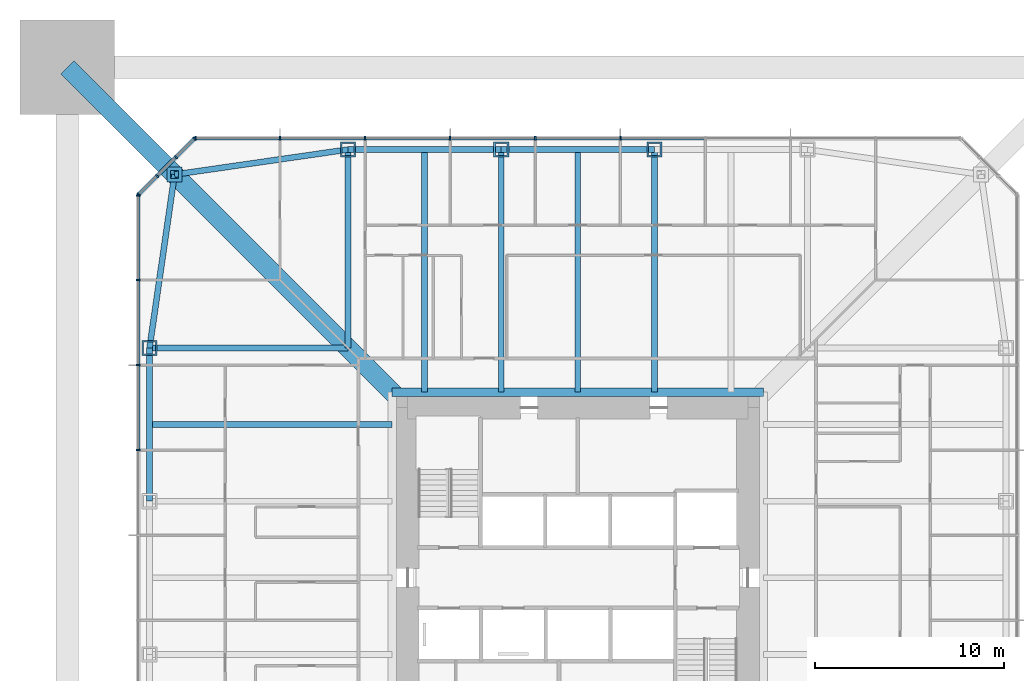
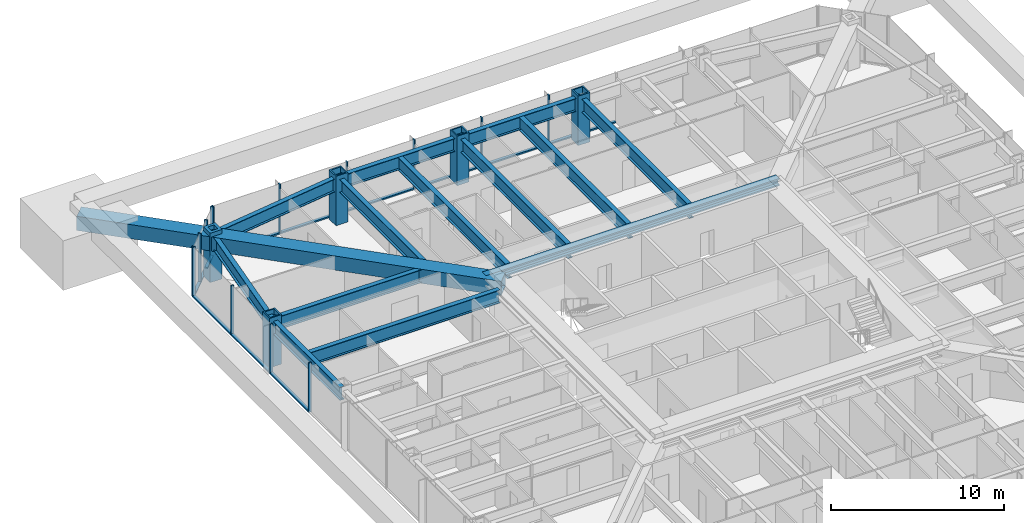
# One storey, part 10 of 32: 33 members, 13 beams, 3 elements without a shape of their own.
"""IFC4 building model written with IfcOpenShell, lengths in metres."""

from ifc_helpers import new_model, si_unit, direction, frame, origin, origin_2d, place, context, subcontext, project, spatial, rectangle, hollow_rectangle, i_section, extrude, material, material_profile, profile_set, type_object, element, aggregate, save


model = new_model("IFC4")

# Units and contexts
model_context = context("Model", 3, precision=1e-05, world=origin(), true_north=direction((0.0, 1.0)))
body_context = subcontext(model_context, "Body", "Model", "MODEL_VIEW")
ifc_project = project(units=[si_unit("LENGTHUNIT", "METRE"), si_unit("AREAUNIT", "SQUARE_METRE"), si_unit("VOLUMEUNIT", "CUBIC_METRE"), si_unit("PLANEANGLEUNIT", "RADIAN"), si_unit("MASSUNIT", "GRAM", prefix="KILO")], contexts=[model_context])

# Site, building, storey
site_placement = place(None, origin())
site = spatial("IfcSite", under=ifc_project, at=site_placement, CompositionType="ELEMENT")
building_placement = place(site_placement, origin())
building = spatial("IfcBuilding", under=site, at=building_placement, Name="Iwan Alto Co-Living Towers", CompositionType="ELEMENT")
storey_placement = place(building_placement, frame((0.0, 0.0, 71.0)))
storey = spatial("IfcBuildingStorey", under=building, at=storey_placement, Name="L19", CompositionType="ELEMENT", Elevation=71.0)

# Curtain wall, members
ifc_material_1 = material(Name="Bronze aluminium unitised frame", Category="aluminium")
curtain_wall_type_1 = type_object("IfcCurtainWallType", Name="CURTAIN WALL CW-A", PredefinedType="NOTDEFINED", material=ifc_material_1)
curtain_wall_1_placement = place(storey_placement, origin())
curtain_wall_1 = element("IfcCurtainWall", 1, at=curtain_wall_1_placement, inside=storey, type_object=curtain_wall_type_1, Name="T1 curtain wall N L19", PredefinedType="NOTDEFINED")
ifc_material_2 = material(Name="Aluminium 6063-T6 bronze anodised", Category="aluminium")
ifc_material_profile_1 = material_profile(ifc_material_2, rectangle(XDim=0.199951171875, YDim=0.080078125, at=origin_2d()), Name="AL 80X200")
ifc_profile_set_1 = profile_set([ifc_material_profile_1], Name="Aluminium 6063-T6 bronze anodised")
member_type_1 = type_object("IfcMemberType", Name="CW-A MULLION 80X200", PredefinedType="MULLION", material=ifc_profile_set_1)
member_1_placement = place(storey_placement, frame((2.25, 23.25, 0.0), z_axis=(0.0, 0.0, 1.0), x_axis=(0.0, -1.0, 0.0)))
member_1 = element("IfcMember", 2, at=member_1_placement, type_object=member_type_1, Name="CW-A mullion 5", PredefinedType="MULLION", context=body_context, shape_type="SweptSolid", body=[
    extrude(rectangle(XDim=0.199951171875, YDim=0.080078125, at=origin_2d()), origin(), (0.0, 0.0, 1.0), 3.5),
])
member_2_placement = place(storey_placement, frame((-2.25, 23.25, 0.0), z_axis=(0.0, 0.0, 1.0), x_axis=(0.0, -1.0, 0.0)))
member_2 = element("IfcMember", 3, at=member_2_placement, type_object=member_type_1, Name="CW-A mullion 6", PredefinedType="MULLION", context=body_context, shape_type="SweptSolid", body=[
    extrude(rectangle(XDim=0.199951171875, YDim=0.080078125, at=origin_2d()), origin(), (0.0, 0.0, 1.0), 3.5),
])
member_3_placement = place(storey_placement, frame((-6.75, 23.25, 0.0), z_axis=(0.0, 0.0, 1.0), x_axis=(0.0, -1.0, 0.0)))
member_3 = element("IfcMember", 4, at=member_3_placement, type_object=member_type_1, Name="CW-A mullion 7", PredefinedType="MULLION", context=body_context, shape_type="SweptSolid", body=[
    extrude(rectangle(XDim=0.199951171875, YDim=0.080078125, at=origin_2d()), origin(), (0.0, 0.0, 1.0), 3.5),
])
member_4_placement = place(storey_placement, frame((-11.25, 23.25, 0.0), z_axis=(0.0, 0.0, 1.0), x_axis=(0.0, -1.0, 0.0)))
member_4 = element("IfcMember", 5, at=member_4_placement, type_object=member_type_1, Name="CW-A mullion 8", PredefinedType="MULLION", context=body_context, shape_type="SweptSolid", body=[
    extrude(rectangle(XDim=0.199951171875, YDim=0.080078125, at=origin_2d()), origin(), (0.0, 0.0, 1.0), 3.5),
])
member_5_placement = place(storey_placement, frame((-15.75, 23.25, 0.0), z_axis=(0.0, 0.0, 1.0), x_axis=(0.0, -1.0, 0.0)))
member_5 = element("IfcMember", 6, at=member_5_placement, type_object=member_type_1, Name="CW-A mullion 9", PredefinedType="MULLION", context=body_context, shape_type="SweptSolid", body=[
    extrude(rectangle(XDim=0.199951171875, YDim=0.080078125, at=origin_2d()), origin(), (0.0, 0.0, 1.0), 3.5),
])
member_6_placement = place(storey_placement, frame((-20.2099609375, 23.25, 0.0), z_axis=(0.0, 0.0, 1.0), x_axis=(0.0, -1.0, 0.0)))
member_6 = element("IfcMember", 7, at=member_6_placement, type_object=member_type_1, Name="CW-A mullion 10", PredefinedType="MULLION", context=body_context, shape_type="SweptSolid", body=[
    extrude(rectangle(XDim=0.199951171875, YDim=0.080078125, at=origin_2d()), origin(), (0.0, 0.0, 1.0), 3.5),
])

curtain_wall_2_placement = place(storey_placement, origin())
curtain_wall_2 = element("IfcCurtainWall", 8, at=curtain_wall_2_placement, inside=storey, type_object=curtain_wall_type_1, Name="T1 curtain wall W L19", PredefinedType="NOTDEFINED")
member_7_placement = place(storey_placement, frame((-23.25, 20.2099609375, 0.0), z_axis=(0.0, 0.0, 1.0), x_axis=(1.0, 0.0, 0.0)))
member_7 = element("IfcMember", 9, at=member_7_placement, type_object=member_type_1, Name="CW-A mullion 1", PredefinedType="MULLION", context=body_context, shape_type="SweptSolid", body=[
    extrude(rectangle(XDim=0.199951171875, YDim=0.080078125, at=origin_2d()), origin(), (0.0, 0.0, 1.0), 3.5),
])
member_8_placement = place(storey_placement, frame((-23.25, 15.75, 0.0), z_axis=(0.0, 0.0, 1.0), x_axis=(1.0, 0.0, 0.0)))
member_8 = element("IfcMember", 10, at=member_8_placement, type_object=member_type_1, Name="CW-A mullion 2", PredefinedType="MULLION", context=body_context, shape_type="SweptSolid", body=[
    extrude(rectangle(XDim=0.199951171875, YDim=0.080078125, at=origin_2d()), origin(), (0.0, 0.0, 1.0), 3.5),
])
member_9_placement = place(storey_placement, frame((-23.25, 11.25, 0.0), z_axis=(0.0, 0.0, 1.0), x_axis=(1.0, 0.0, 0.0)))
member_9 = element("IfcMember", 11, at=member_9_placement, type_object=member_type_1, Name="CW-A mullion 3", PredefinedType="MULLION", context=body_context, shape_type="SweptSolid", body=[
    extrude(rectangle(XDim=0.199951171875, YDim=0.080078125, at=origin_2d()), origin(), (0.0, 0.0, 1.0), 3.5),
])
member_10_placement = place(storey_placement, frame((-23.25, 6.75, 0.0), z_axis=(0.0, 0.0, 1.0), x_axis=(1.0, 0.0, 0.0)))
member_10 = element("IfcMember", 12, at=member_10_placement, type_object=member_type_1, Name="CW-A mullion 4", PredefinedType="MULLION", context=body_context, shape_type="SweptSolid", body=[
    extrude(rectangle(XDim=0.199951171875, YDim=0.080078125, at=origin_2d()), origin(), (0.0, 0.0, 1.0), 3.5),
])

# Member
ifc_material_3 = material(Name="Aluminium 6063-T6 bronze anodised", Category="aluminium")
ifc_material_profile_2 = material_profile(ifc_material_3, rectangle(XDim=0.199951171875, YDim=0.10009765625, at=origin_2d()), Name="AL 200X100")
ifc_profile_set_2 = profile_set([ifc_material_profile_2], Name="Aluminium 6063-T6 bronze anodised")
member_type_2 = type_object("IfcMemberType", Name="CW-A TRANSOM 200X100", PredefinedType="USERDEFINED", material=ifc_profile_set_2)
member_11_placement = place(storey_placement, frame((6.7099609375, 23.25, 0.050048828125), z_axis=(-1.0, 0.0, 0.0), x_axis=(0.0, -1.0, 0.0)))
member_11 = element("IfcMember", 13, at=member_11_placement, type_object=member_type_2, Name="CW-A transom 4.1", ObjectType="TRANSOM", PredefinedType="USERDEFINED", context=body_context, shape_type="SweptSolid", body=[
    extrude(rectangle(XDim=0.199951171875, YDim=0.10009765625, at=origin_2d()), origin(), (0.0, 0.0, 1.0), 4.419921875),
])

member_12_placement = place(storey_placement, frame((2.2099609375, 23.25, 0.050048828125), z_axis=(-1.0, 0.0, 0.0), x_axis=(0.0, -1.0, 0.0)))
member_12 = element("IfcMember", 14, at=member_12_placement, type_object=member_type_2, Name="CW-A transom 5.1", ObjectType="TRANSOM", PredefinedType="USERDEFINED", context=body_context, shape_type="SweptSolid", body=[
    extrude(rectangle(XDim=0.199951171875, YDim=0.10009765625, at=origin_2d()), origin(), (0.0, 0.0, 1.0), 4.419921875),
])

member_13_placement = place(storey_placement, frame((-2.2900390625, 23.25, 0.050048828125), z_axis=(-1.0, 0.0, 0.0), x_axis=(0.0, -1.0, 0.0)))
member_13 = element("IfcMember", 15, at=member_13_placement, type_object=member_type_2, Name="CW-A transom 6.1", ObjectType="TRANSOM", PredefinedType="USERDEFINED", context=body_context, shape_type="SweptSolid", body=[
    extrude(rectangle(XDim=0.199951171875, YDim=0.10009765625, at=origin_2d()), origin(), (0.0, 0.0, 1.0), 4.419921875),
])

member_14_placement = place(storey_placement, frame((-6.7900390625, 23.25, 0.050048828125), z_axis=(-1.0, 0.0, 0.0), x_axis=(0.0, -1.0, 0.0)))
member_14 = element("IfcMember", 16, at=member_14_placement, type_object=member_type_2, Name="CW-A transom 7.1", ObjectType="TRANSOM", PredefinedType="USERDEFINED", context=body_context, shape_type="SweptSolid", body=[
    extrude(rectangle(XDim=0.199951171875, YDim=0.10009765625, at=origin_2d()), origin(), (0.0, 0.0, 1.0), 4.419921875),
])

member_15_placement = place(storey_placement, frame((-11.2900390625, 23.25, 0.050048828125), z_axis=(-1.0, 0.0, 0.0), x_axis=(0.0, -1.0, 0.0)))
member_15 = element("IfcMember", 17, at=member_15_placement, type_object=member_type_2, Name="CW-A transom 8.1", ObjectType="TRANSOM", PredefinedType="USERDEFINED", context=body_context, shape_type="SweptSolid", body=[
    extrude(rectangle(XDim=0.199951171875, YDim=0.10009765625, at=origin_2d()), origin(), (0.0, 0.0, 1.0), 4.419921875),
])

member_16_placement = place(storey_placement, frame((-15.7900390625, 23.25, 0.050048828125), z_axis=(-1.0, 0.0, 0.0), x_axis=(0.0, -1.0, 0.0)))
member_16 = element("IfcMember", 18, at=member_16_placement, type_object=member_type_2, Name="CW-A transom 9.1", ObjectType="TRANSOM", PredefinedType="USERDEFINED", context=body_context, shape_type="SweptSolid", body=[
    extrude(rectangle(XDim=0.199951171875, YDim=0.10009765625, at=origin_2d()), origin(), (0.0, 0.0, 1.0), 4.3798828125),
])

aggregate(curtain_wall_1, [member_1, member_2, member_3, member_4, member_5, member_6, member_11, member_12, member_13, member_14, member_15, member_16])

member_17_placement = place(storey_placement, frame((-23.25, 20.169921875, 0.050048828125), z_axis=(0.0, -1.0, 0.0), x_axis=(1.0, 0.0, 0.0)))
member_17 = element("IfcMember", 19, at=member_17_placement, type_object=member_type_2, Name="CW-A transom 1.1", ObjectType="TRANSOM", PredefinedType="USERDEFINED", context=body_context, shape_type="SweptSolid", body=[
    extrude(rectangle(XDim=0.199951171875, YDim=0.10009765625, at=origin_2d()), origin(), (0.0, 0.0, 1.0), 4.3798828125),
])

member_18_placement = place(storey_placement, frame((-23.25, 15.7099609375, 0.050048828125), z_axis=(0.0, -1.0, 0.0), x_axis=(1.0, 0.0, 0.0)))
member_18 = element("IfcMember", 20, at=member_18_placement, type_object=member_type_2, Name="CW-A transom 2.1", ObjectType="TRANSOM", PredefinedType="USERDEFINED", context=body_context, shape_type="SweptSolid", body=[
    extrude(rectangle(XDim=0.199951171875, YDim=0.10009765625, at=origin_2d()), origin(), (0.0, 0.0, 1.0), 4.419921875),
])

member_19_placement = place(storey_placement, frame((-23.25, 11.2099609375, 0.050048828125), z_axis=(0.0, -1.0, 0.0), x_axis=(1.0, 0.0, 0.0)))
member_19 = element("IfcMember", 21, at=member_19_placement, type_object=member_type_2, Name="CW-A transom 3.1", ObjectType="TRANSOM", PredefinedType="USERDEFINED", context=body_context, shape_type="SweptSolid", body=[
    extrude(rectangle(XDim=0.199951171875, YDim=0.10009765625, at=origin_2d()), origin(), (0.0, 0.0, 1.0), 4.419921875),
])

aggregate(curtain_wall_2, [member_7, member_8, member_9, member_10, member_17, member_18, member_19])

# Curtain wall, members
ifc_material_4 = material(Name="Bronze aluminium unitised frame", Category="aluminium")
curtain_wall_type_2 = type_object("IfcCurtainWallType", Name="CURTAIN WALL CW-B", PredefinedType="NOTDEFINED", material=ifc_material_4)
curtain_wall_3_placement = place(storey_placement, origin())
curtain_wall_3 = element("IfcCurtainWall", 22, at=curtain_wall_3_placement, inside=storey, type_object=curtain_wall_type_2, Name="T1 chamfer curtain wall NW L19", PredefinedType="NOTDEFINED")
ifc_material_5 = material(Name="Aluminium 6063-T6 bronze anodised", Category="aluminium")
ifc_material_profile_3 = material_profile(ifc_material_5, rectangle(XDim=0.199951171875, YDim=0.080078125, at=origin_2d()), Name="AL 80X200")
ifc_profile_set_3 = profile_set([ifc_material_profile_3], Name="Aluminium 6063-T6 bronze anodised")
member_type_3 = type_object("IfcMemberType", Name="CW-B MULLION 80X200", PredefinedType="MULLION", material=ifc_profile_set_3)
member_20_placement = place(storey_placement, frame((-20.2783203125, 23.2216796875, 0.0), z_axis=(0.0, 0.0, 1.0), x_axis=(0.707106781187, -0.707106781187, 0.0)))
member_20 = element("IfcMember", 23, at=member_20_placement, type_object=member_type_3, Name="CW-B mullion 1", PredefinedType="MULLION", context=body_context, shape_type="SweptSolid", body=[
    extrude(rectangle(XDim=0.199951171875, YDim=0.080078125, at=origin_2d()), origin(), (0.0, 0.0, 1.0), 3.5),
])
member_21_placement = place(storey_placement, frame((-21.25, 22.25, 0.0), z_axis=(0.0, 0.0, 1.0), x_axis=(0.707106781187, -0.707106781187, 0.0)))
member_21 = element("IfcMember", 24, at=member_21_placement, type_object=member_type_3, Name="CW-B mullion 2", PredefinedType="MULLION", context=body_context, shape_type="SweptSolid", body=[
    extrude(rectangle(XDim=0.199951171875, YDim=0.080078125, at=origin_2d()), origin(), (0.0, 0.0, 1.0), 3.5),
])
member_22_placement = place(storey_placement, frame((-22.25, 21.25, 0.0), z_axis=(0.0, 0.0, 1.0), x_axis=(0.707106781187, -0.707106781187, 0.0)))
member_22 = element("IfcMember", 25, at=member_22_placement, type_object=member_type_3, Name="CW-B mullion 3", PredefinedType="MULLION", context=body_context, shape_type="SweptSolid", body=[
    extrude(rectangle(XDim=0.199951171875, YDim=0.080078125, at=origin_2d()), origin(), (0.0, 0.0, 1.0), 3.5),
])
member_23_placement = place(storey_placement, frame((-23.2216796875, 20.2783203125, 0.0), z_axis=(0.0, 0.0, 1.0), x_axis=(0.707106781187, -0.707106781187, 0.0)))
member_23 = element("IfcMember", 26, at=member_23_placement, type_object=member_type_3, Name="CW-B mullion 4", PredefinedType="MULLION", context=body_context, shape_type="SweptSolid", body=[
    extrude(rectangle(XDim=0.199951171875, YDim=0.080078125, at=origin_2d()), origin(), (0.0, 0.0, 1.0), 3.5),
])
ifc_material_6 = material(Name="Aluminium 6063-T6 bronze anodised", Category="aluminium")
ifc_material_profile_4 = material_profile(ifc_material_6, rectangle(XDim=0.199951171875, YDim=0.10009765625, at=origin_2d()), Name="AL 200X100")
ifc_profile_set_4 = profile_set([ifc_material_profile_4], Name="Aluminium 6063-T6 bronze anodised")
member_type_4 = type_object("IfcMemberType", Name="CW-B TRANSOM 200X100", PredefinedType="USERDEFINED", material=ifc_profile_set_4)
member_24_placement = place(storey_placement, frame((-20.306640625, 23.193359375, 0.050048828125), z_axis=(-0.707106781187, -0.707106781187, 0.0), x_axis=(0.707106781187, -0.707106781187, 0.0)))
member_24 = element("IfcMember", 27, at=member_24_placement, type_object=member_type_4, Name="CW-B transom 1.1", ObjectType="TRANSOM", PredefinedType="USERDEFINED", context=body_context, shape_type="SweptSolid", body=[
    extrude(rectangle(XDim=0.199951171875, YDim=0.10009765625, at=origin_2d()), origin(), (0.0, 0.0, 1.0), 1.2939453125),
])
member_25_placement = place(storey_placement, frame((-21.2783203125, 22.2216796875, 0.050048828125), z_axis=(-0.707106781187, -0.707106781187, 0.0), x_axis=(0.707106781187, -0.707106781187, 0.0)))
member_25 = element("IfcMember", 28, at=member_25_placement, type_object=member_type_4, Name="CW-B transom 2.1", ObjectType="TRANSOM", PredefinedType="USERDEFINED", context=body_context, shape_type="SweptSolid", body=[
    extrude(rectangle(XDim=0.199951171875, YDim=0.10009765625, at=origin_2d()), origin(), (0.0, 0.0, 1.0), 1.334228515625),
])
member_26_placement = place(storey_placement, frame((-22.2783203125, 21.2216796875, 0.050048828125), z_axis=(-0.707106781187, -0.707106781187, 0.0), x_axis=(0.707106781187, -0.707106781187, 0.0)))
member_26 = element("IfcMember", 29, at=member_26_placement, type_object=member_type_4, Name="CW-B transom 3.1", ObjectType="TRANSOM", PredefinedType="USERDEFINED", context=body_context, shape_type="SweptSolid", body=[
    extrude(rectangle(XDim=0.199951171875, YDim=0.10009765625, at=origin_2d()), origin(), (0.0, 0.0, 1.0), 1.2939453125),
])
aggregate(curtain_wall_3, [member_20, member_21, member_22, member_23, member_24, member_25, member_26])

# Beams
ifc_material_7 = material(Name="Steel ASTM A992 Gr 50", Category="steel")
ifc_material_profile_5 = material_profile(ifc_material_7, i_section(OverallWidth=0.307373046875, OverallDepth=0.927001953125, WebThickness=0.01953125, FlangeThickness=0.031982421875, at=origin_2d()), Name="W36X194")
ifc_profile_set_5 = profile_set([ifc_material_profile_5], Name="Steel ASTM A992 Gr 50")
beam_type_1 = type_object("IfcBeamType", Name="T1 BELT TRUSS CHORD W36X194", PredefinedType="BEAM", material=ifc_profile_set_5)
beam_1_placement = place(storey_placement, frame((4.050048828125, 22.64990234375, 2.736328125), z_axis=(-1.0, 0.0, 0.0), x_axis=(0.0, -1.0, 0.0)))
element("IfcBeam", 30, at=beam_1_placement, inside=storey, type_object=beam_type_1, Name="T1 edge beam N2 L20", PredefinedType="BEAM", context=body_context, shape_type="SweptSolid", body=[
    extrude(i_section(OverallWidth=0.307373046875, OverallDepth=0.927001953125, WebThickness=0.01953125, FlangeThickness=0.031982421875, at=origin_2d()), origin(), (0.0, 0.0, 1.0), 8.10009765625),
])
beam_2_placement = place(storey_placement, frame((-4.050048828125, 22.64990234375, 2.736328125), z_axis=(-1.0, 0.0, 0.0), x_axis=(0.0, -1.0, 0.0)))
element("IfcBeam", 31, at=beam_2_placement, inside=storey, type_object=beam_type_1, Name="T1 edge beam N3 L20", PredefinedType="BEAM", context=body_context, shape_type="SweptSolid", body=[
    extrude(i_section(OverallWidth=0.307373046875, OverallDepth=0.927001953125, WebThickness=0.01953125, FlangeThickness=0.031982421875, at=origin_2d()), origin(), (0.0, 0.0, 1.0), 8.099853515625),
])
for number, where, z_axis, x_axis, name in (
    (32, (-12.14990234375, 22.64990234375, 2.736328125), (-0.989746234347, -0.142836940589, 0.0), (0.142836940589, -0.989746234347, 0.0), "T1 edge beam N4 L20"),
    (33, (-21.32568359375, 21.32568359375, 2.736328125), (-0.142836940589, -0.989746234347, 0.0), (0.989746234347, -0.142836940589, 0.0), "T1 edge beam CNW L20"),
):
    element("IfcBeam", number, at=place(storey_placement, frame(where, z_axis=z_axis, x_axis=x_axis)), inside=storey, type_object=beam_type_1, Name=name, PredefinedType="BEAM", context=body_context, shape_type="SweptSolid", body=[
        extrude(i_section(OverallWidth=0.307373046875, OverallDepth=0.927001953125, WebThickness=0.01953125, FlangeThickness=0.031982421875, at=origin_2d()), origin(), (0.0, 0.0, 1.0), 9.270751953125),
    ])
beam_3_placement = place(storey_placement, frame((-22.64990234375, 12.14990234375, 2.736328125), z_axis=(0.0, -1.0, 0.0), x_axis=(1.0, 0.0, 0.0)))
element("IfcBeam", 34, at=beam_3_placement, inside=storey, type_object=beam_type_1, Name="T1 edge beam W1 L20", PredefinedType="BEAM", context=body_context, shape_type="SweptSolid", body=[
    extrude(i_section(OverallWidth=0.307373046875, OverallDepth=0.927001953125, WebThickness=0.01953125, FlangeThickness=0.031982421875, at=origin_2d()), origin(), (0.0, 0.0, 1.0), 8.099853515625),
])
ifc_material_8 = material(Name="Steel ASTM A992 Gr 50", Category="steel")
ifc_material_profile_6 = material_profile(ifc_material_8, i_section(OverallWidth=0.436767578125, OverallDepth=0.51318359375, WebThickness=0.060546875, FlangeThickness=0.096923828125, at=origin_2d()), Name="W14X550")
ifc_profile_set_6 = profile_set([ifc_material_profile_6], Name="Steel ASTM A992 Gr 50")
beam_type_2 = type_object("IfcBeamType", Name="T1 CORE LEDGER BEAM W14X550", PredefinedType="BEAM", material=ifc_profile_set_6)
beam_4_placement = place(storey_placement, frame((9.818359375, 9.818359375, 2.943359375), z_axis=(-1.0, 0.0, 0.0), x_axis=(0.0, -1.0, 0.0)))
element("IfcBeam", 35, at=beam_4_placement, inside=storey, type_object=beam_type_2, Name="T1 core ledger beam N L20", PredefinedType="BEAM", context=body_context, shape_type="SweptSolid", body=[
    extrude(i_section(OverallWidth=0.436767578125, OverallDepth=0.51318359375, WebThickness=0.060546875, FlangeThickness=0.096923828125, at=origin_2d()), origin(), (0.0, 0.0, 1.0), 19.63671875),
])

# Members
ifc_material_9 = material(Name="Steel ASTM A36", Category="steel")
ifc_material_profile_7 = material_profile(ifc_material_9, hollow_rectangle(XDim=0.800048828125, YDim=0.800048828125, WallThickness=0.179931640625, at=origin_2d()), Name="BOX 800X800X180")
ifc_profile_set_7 = profile_set([ifc_material_profile_7], Name="Steel ASTM A36")
member_type_5 = type_object("IfcMemberType", Name="T1 HEAVY RING POST AT STEP BOX 800X800X180", PredefinedType="MEMBER", material=ifc_profile_set_7)
member_27_placement = place(storey_placement, frame((-21.32568359375, 21.32568359375, 0.0), z_axis=(0.0, 0.0, 1.0), x_axis=(1.0, 0.0, 0.0)))
element("IfcMember", 36, at=member_27_placement, inside=storey, type_object=member_type_5, Name="T1 ring post at step CNW L19", PredefinedType="MEMBER", context=body_context, shape_type="SweptSolid", body=[
    extrude(hollow_rectangle(XDim=0.800048828125, YDim=0.800048828125, WallThickness=0.179931640625, at=origin_2d()), origin(), (0.0, 0.0, 1.0), 3.5),
])
ifc_material_10 = material(Name="Steel ASTM A572 Gr 50", Category="steel")
ifc_material_profile_8 = material_profile(ifc_material_10, hollow_rectangle(XDim=1.0, YDim=1.0, WallThickness=0.070068359375, at=origin_2d()), Name="BOX 1000X1000X70")
ifc_profile_set_8 = profile_set([ifc_material_profile_8], Name="Steel ASTM A572 Gr 50")
member_type_6 = type_object("IfcMemberType", Name="T1 OUTRIGGER CHORD BOX 1000X1000X70", PredefinedType="CHORD", material=ifc_profile_set_8)
member_28_placement = place(storey_placement, frame((-9.0, 9.0, 2.699951171875), z_axis=(-0.707106781187, 0.707106781187, 0.0), x_axis=(-0.707106781187, -0.707106781187, 0.0)))
element("IfcMember", 37, at=member_28_placement, inside=storey, type_object=member_type_6, Name="T1 outrigger NW L20 bottom chord 1", PredefinedType="CHORD", context=body_context, shape_type="SweptSolid", body=[
    extrude(hollow_rectangle(XDim=1.0, YDim=1.0, WallThickness=0.070068359375, at=origin_2d()), origin(), (0.0, 0.0, 1.0), 17.43115234375),
])
member_29_placement = place(storey_placement, frame((-21.32568359375, 21.32568359375, 2.699951171875), z_axis=(-0.707106781187, 0.707106781187, 0.0), x_axis=(-0.707106781187, -0.707106781187, 0.0)))
element("IfcMember", 38, at=member_29_placement, inside=storey, type_object=member_type_6, Name="T1 outrigger NW L20 bottom chord 2", PredefinedType="CHORD", context=body_context, shape_type="SweptSolid", body=[
    extrude(hollow_rectangle(XDim=1.0, YDim=1.0, WallThickness=0.070068359375, at=origin_2d()), origin(), (0.0, 0.0, 1.0), 8.024658203125),
])

# Beams
ifc_material_11 = material(Name="Steel ASTM A992 Gr 50", Category="steel")
ifc_material_profile_9 = material_profile(ifc_material_11, i_section(OverallWidth=0.307373046875, OverallDepth=0.927001953125, WebThickness=0.01953125, FlangeThickness=0.031982421875, at=origin_2d()), Name="W36X194")
ifc_profile_set_9 = profile_set([ifc_material_profile_9], Name="Steel ASTM A992 Gr 50")
beam_type_3 = type_object("IfcBeamType", Name="T1 RADIAL BEAM W36X194", PredefinedType="BEAM", material=ifc_profile_set_9)
for number, where, z_axis, x_axis, name in (
    (39, (4.050048828125, 22.64990234375, 2.736328125), (0.0, -1.0, 0.0), (1.0, 0.0, 0.0), "T1 radial beam N2 L20"),
    (40, (-4.050048828125, 22.64990234375, 2.736328125), (0.0, -1.0, 0.0), (1.0, 0.0, 0.0), "T1 radial beam N3 L20"),
):
    element("IfcBeam", number, at=place(storey_placement, frame(where, z_axis=z_axis, x_axis=x_axis)), inside=storey, type_object=beam_type_3, Name=name, PredefinedType="BEAM", context=body_context, shape_type="SweptSolid", body=[
        extrude(i_section(OverallWidth=0.307373046875, OverallDepth=0.927001953125, WebThickness=0.01953125, FlangeThickness=0.031982421875, at=origin_2d()), origin(), (0.0, 0.0, 1.0), 12.83154296875),
    ])
for number, where, z_axis, x_axis, name in (
    (41, (-12.14990234375, 22.64990234375, 2.736328125), (0.0, -1.0, 0.0), (1.0, 0.0, 0.0), "T1 radial beam N4 L20"),
    (42, (-22.64990234375, 12.14990234375, 2.736328125), (1.0, 0.0, 0.0), (0.0, 1.0, 0.0), "T1 radial beam W1 L20"),
):
    element("IfcBeam", number, at=place(storey_placement, frame(where, z_axis=z_axis, x_axis=x_axis)), inside=storey, type_object=beam_type_3, Name=name, PredefinedType="BEAM", context=body_context, shape_type="SweptSolid", body=[
        extrude(i_section(OverallWidth=0.307373046875, OverallDepth=0.927001953125, WebThickness=0.01953125, FlangeThickness=0.031982421875, at=origin_2d()), origin(), (0.0, 0.0, 1.0), 10.5),
    ])

# Members
ifc_material_12 = material(Name="Steel ASTM A572 Gr 50", Category="steel")
ifc_material_profile_10 = material_profile(ifc_material_12, hollow_rectangle(XDim=0.800048828125, YDim=0.800048828125, WallThickness=0.090087890625, at=origin_2d()), Name="BOX 800X800X90")
ifc_profile_set_10 = profile_set([ifc_material_profile_10], Name="Steel ASTM A572 Gr 50")
member_type_7 = type_object("IfcMemberType", Name="T1 RING POST AT STEP BOX 800X800X90", PredefinedType="MEMBER", material=ifc_profile_set_10)
for number, where, z_axis, x_axis, name in (
    (43, (4.050048828125, 22.64990234375, 0.0), (0.0, 0.0, 1.0), (1.0, 0.0, 0.0), "T1 ring post at step N2 L19"),
    (44, (-4.050048828125, 22.64990234375, 0.0), (0.0, 0.0, 1.0), (1.0, 0.0, 0.0), "T1 ring post at step N3 L19"),
    (45, (-12.14990234375, 22.64990234375, 0.0), (0.0, 0.0, 1.0), (1.0, 0.0, 0.0), "T1 ring post at step N4 L19"),
    (46, (-22.64990234375, 12.14990234375, 0.0), (0.0, 0.0, 1.0), (1.0, 0.0, 0.0), "T1 ring post at step W1 L19"),
):
    element("IfcMember", number, at=place(storey_placement, frame(where, z_axis=z_axis, x_axis=x_axis)), inside=storey, type_object=member_type_7, Name=name, PredefinedType="MEMBER", context=body_context, shape_type="SweptSolid", body=[
        extrude(hollow_rectangle(XDim=0.800048828125, YDim=0.800048828125, WallThickness=0.090087890625, at=origin_2d()), origin(), (0.0, 0.0, 1.0), 3.5),
    ])

# Beams
ifc_material_13 = material(Name="Steel ASTM A992 Gr 50", Category="steel")
ifc_material_profile_11 = material_profile(ifc_material_13, i_section(OverallWidth=0.307373046875, OverallDepth=0.927001953125, WebThickness=0.01953125, FlangeThickness=0.031982421875, at=origin_2d()), Name="W36X194")
ifc_profile_set_11 = profile_set([ifc_material_profile_11], Name="Steel ASTM A992 Gr 50")
beam_type_4 = type_object("IfcBeamType", Name="T1 SECONDARY BEAM W36X194", PredefinedType="JOIST", material=ifc_profile_set_11)
for number, where, z_axis, x_axis, name in (
    (47, (0.0, 22.64990234375, 2.736328125), (0.0, -1.0, 0.0), (1.0, 0.0, 0.0), "T1 secondary beam N2 L20"),
    (48, (-8.10009765625, 22.64990234375, 2.736328125), (0.0, -1.0, 0.0), (1.0, 0.0, 0.0), "T1 secondary beam N3 L20"),
    (49, (-22.64990234375, 8.10009765625, 2.736328125), (1.0, 0.0, 0.0), (0.0, 1.0, 0.0), "T1 secondary beam W1 L20"),
):
    element("IfcBeam", number, at=place(storey_placement, frame(where, z_axis=z_axis, x_axis=x_axis)), inside=storey, type_object=beam_type_4, Name=name, PredefinedType="JOIST", context=body_context, shape_type="SweptSolid", body=[
        extrude(i_section(OverallWidth=0.307373046875, OverallDepth=0.927001953125, WebThickness=0.01953125, FlangeThickness=0.031982421875, at=origin_2d()), origin(), (0.0, 0.0, 1.0), 12.83154296875),
    ])

save(model, "model.ifc")
